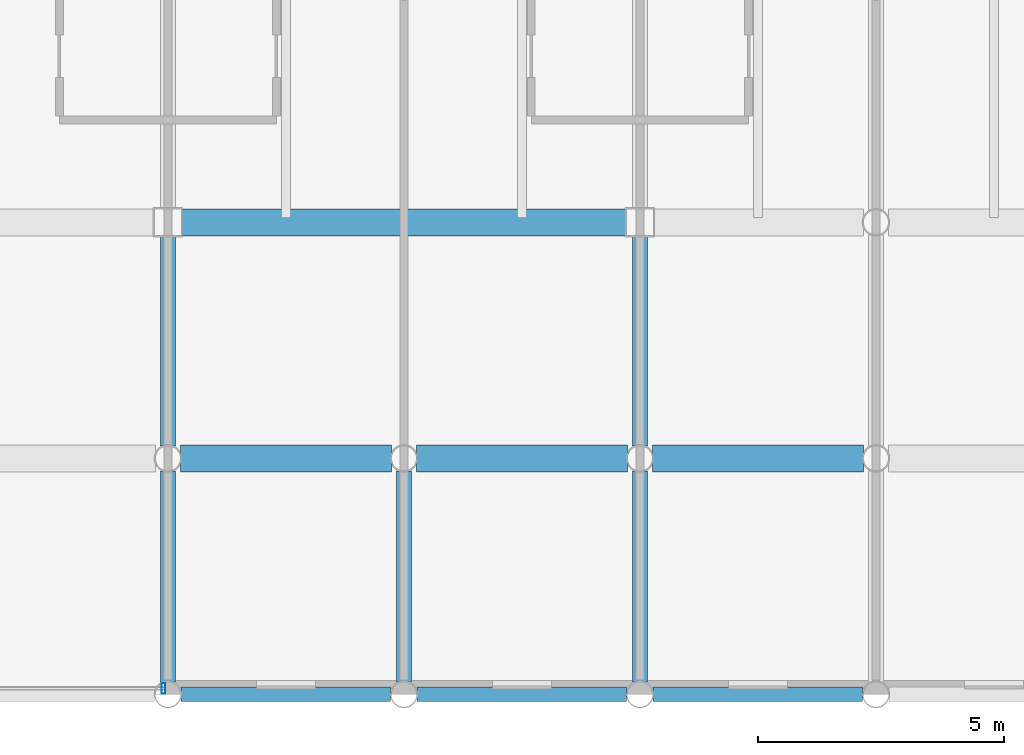
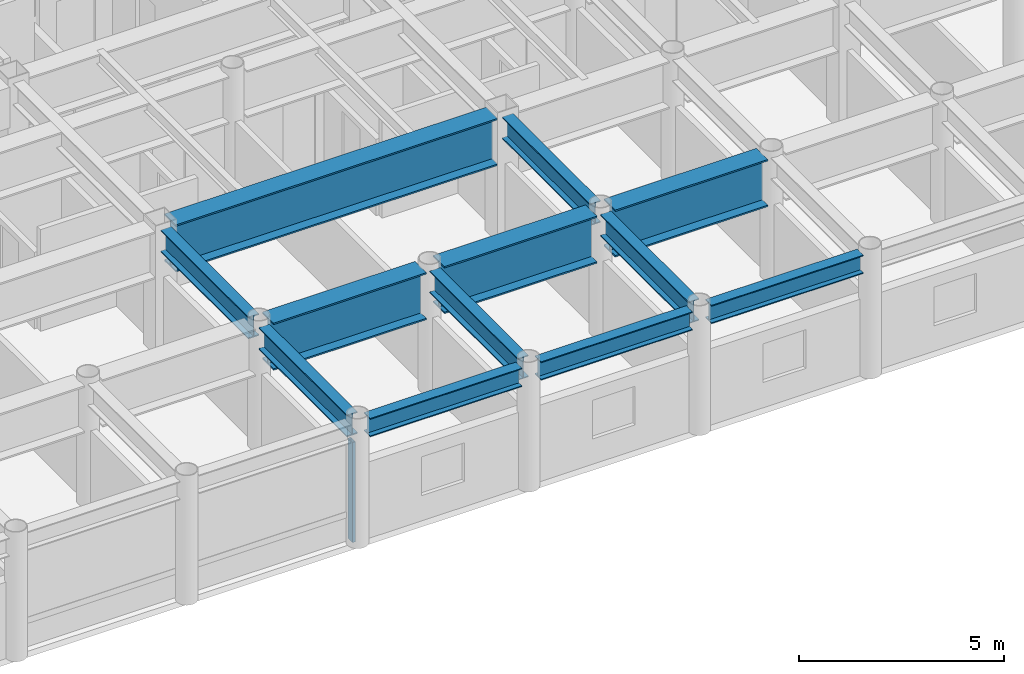
# One storey, part 8 of 22: 12 beams, 1 member, 1 element without a shape of its own.
"""IFC4 building model written with IfcOpenShell, lengths in metres."""

from ifc_helpers import new_model, si_unit, direction, frame, origin, origin_2d, place, context, subcontext, project, spatial, hollow_rectangle, i_section, extrude, material, layer, layer_set, material_profile, profile_set, type_object, element, aggregate, save


model = new_model("IFC4")

# Units and contexts
model_context = context("Model", 3, precision=1e-05, world=origin(), true_north=direction((0.0, 1.0)))
body_context = subcontext(model_context, "Body", "Model", "MODEL_VIEW")
ifc_project = project(units=[si_unit("LENGTHUNIT", "METRE"), si_unit("AREAUNIT", "SQUARE_METRE"), si_unit("VOLUMEUNIT", "CUBIC_METRE"), si_unit("PLANEANGLEUNIT", "RADIAN"), si_unit("MASSUNIT", "GRAM", prefix="KILO")], contexts=[model_context])

# Site, building, storey
site_placement = place(None, origin())
site = spatial("IfcSite", under=ifc_project, at=site_placement, CompositionType="ELEMENT")
building_placement = place(site_placement, origin())
building = spatial("IfcBuilding", under=site, at=building_placement, Name="Kallvorn Hotel Tower", CompositionType="ELEMENT")
storey_placement = place(building_placement, frame((0.0, 0.0, 191.5)))
storey = spatial("IfcBuildingStorey", under=building, at=storey_placement, Name="L47", CompositionType="ELEMENT", Elevation=191.5)

# Beams
ifc_material_1 = material(Name="Structural steel S355JR", Category="steel")
ifc_material_profile_1 = material_profile(ifc_material_1, i_section(OverallWidth=0.300048828125, OverallDepth=0.550048828125, WebThickness=0.014892578125, FlangeThickness=0.029052734375, at=origin_2d()), Name="HE 550 B")
ifc_profile_set_1 = profile_set([ifc_material_profile_1], Name="Structural steel S355JR")
beam_type_1 = type_object("IfcBeamType", Name="BM_HE550B", PredefinedType="SPANDREL", material=ifc_profile_set_1)
beam_1_placement = place(storey_placement, frame((5.069580078125, -24.0, 3.39501953125), z_axis=(1.0, 0.0, 0.0), x_axis=(0.0, 1.0, 0.0)))
element("IfcBeam", 1, at=beam_1_placement, inside=storey, type_object=beam_type_1, Name="L48 Perimeter Spandrel 157", PredefinedType="SPANDREL", context=body_context, shape_type="SweptSolid", body=[
    extrude(i_section(OverallWidth=0.300048828125, OverallDepth=0.550048828125, WebThickness=0.014892578125, FlangeThickness=0.029052734375, at=origin_2d()), origin(), (0.0, 0.0, 1.0), 4.260986328125),
])
beam_2_placement = place(storey_placement, frame((9.869384765625, -24.0, 3.39501953125), z_axis=(1.0, 0.0, 0.0), x_axis=(0.0, 1.0, 0.0)))
element("IfcBeam", 2, at=beam_2_placement, inside=storey, type_object=beam_type_1, Name="L48 Perimeter Spandrel 158", PredefinedType="SPANDREL", context=body_context, shape_type="SweptSolid", body=[
    extrude(i_section(OverallWidth=0.300048828125, OverallDepth=0.550048828125, WebThickness=0.014892578125, FlangeThickness=0.029052734375, at=origin_2d()), origin(), (0.0, 0.0, 1.0), 4.26123046875),
])
beam_3_placement = place(storey_placement, frame((14.66943359375, -24.0, 3.39501953125), z_axis=(1.0, 0.0, 0.0), x_axis=(0.0, 1.0, 0.0)))
element("IfcBeam", 3, at=beam_3_placement, inside=storey, type_object=beam_type_1, Name="L48 Perimeter Spandrel 159", PredefinedType="SPANDREL", context=body_context, shape_type="SweptSolid", body=[
    extrude(i_section(OverallWidth=0.300048828125, OverallDepth=0.550048828125, WebThickness=0.014892578125, FlangeThickness=0.029052734375, at=origin_2d()), origin(), (0.0, 0.0, 1.0), 4.260986328125),
])
ifc_material_2 = material(Name="Structural steel S355JR", Category="steel")
ifc_material_profile_2 = material_profile(ifc_material_2, i_section(OverallWidth=0.300048828125, OverallDepth=0.64990234375, WebThickness=0.01611328125, FlangeThickness=0.031005859375, at=origin_2d()), Name="HE 650 B")
ifc_profile_set_2 = profile_set([ifc_material_profile_2], Name="Structural steel S355JR")
beam_type_2 = type_object("IfcBeamType", Name="BM_HE650B", PredefinedType="BEAM", material=ifc_profile_set_2)
beam_4_placement = place(storey_placement, frame((4.800048828125, -23.74560546875, 3.344970703125), z_axis=(0.0, 1.0, 0.0), x_axis=(-1.0, 0.0, 0.0)))
element("IfcBeam", 4, at=beam_4_placement, inside=storey, type_object=beam_type_2, Name="L48 Primary Y-Girder 113", PredefinedType="BEAM", context=body_context, shape_type="SweptSolid", body=[
    extrude(i_section(OverallWidth=0.300048828125, OverallDepth=0.64990234375, WebThickness=0.01611328125, FlangeThickness=0.031005859375, at=origin_2d()), origin(), (0.0, 0.0, 1.0), 4.291015625),
])
beam_5_placement = place(storey_placement, frame((4.800048828125, -18.945556640625, 3.344970703125), z_axis=(0.0, 1.0, 0.0), x_axis=(-1.0, 0.0, 0.0)))
element("IfcBeam", 5, at=beam_5_placement, inside=storey, type_object=beam_type_2, Name="L48 Primary Y-Girder 114", PredefinedType="BEAM", context=body_context, shape_type="SweptSolid", body=[
    extrude(i_section(OverallWidth=0.300048828125, OverallDepth=0.64990234375, WebThickness=0.01611328125, FlangeThickness=0.031005859375, at=origin_2d()), origin(), (0.0, 0.0, 1.0), 4.2705078125),
])
for number, where, z_axis, x_axis, name in (
    (6, (9.60009765625, -23.74560546875, 3.344970703125), (0.0, 1.0, 0.0), (-1.0, 0.0, 0.0), "L48 Primary Y-Girder 118"),
    (7, (14.39990234375, -23.74560546875, 3.344970703125), (0.0, 1.0, 0.0), (-1.0, 0.0, 0.0), "L48 Primary Y-Girder 121"),
):
    element("IfcBeam", number, at=place(storey_placement, frame(where, z_axis=z_axis, x_axis=x_axis)), inside=storey, type_object=beam_type_2, Name=name, PredefinedType="BEAM", context=body_context, shape_type="SweptSolid", body=[
        extrude(i_section(OverallWidth=0.300048828125, OverallDepth=0.64990234375, WebThickness=0.01611328125, FlangeThickness=0.031005859375, at=origin_2d()), origin(), (0.0, 0.0, 1.0), 4.291015625),
    ])
beam_6_placement = place(storey_placement, frame((14.39990234375, -18.945556640625, 3.344970703125), z_axis=(0.0, 1.0, 0.0), x_axis=(-1.0, 0.0, 0.0)))
element("IfcBeam", 8, at=beam_6_placement, inside=storey, type_object=beam_type_2, Name="L48 Primary Y-Girder 122", PredefinedType="BEAM", context=body_context, shape_type="SweptSolid", body=[
    extrude(i_section(OverallWidth=0.300048828125, OverallDepth=0.64990234375, WebThickness=0.01611328125, FlangeThickness=0.031005859375, at=origin_2d()), origin(), (0.0, 0.0, 1.0), 4.2705078125),
])
ifc_material_3 = material(Name="Structural steel S355JR", Category="steel")
ifc_material_profile_3 = material_profile(ifc_material_3, i_section(OverallWidth=0.550048828125, OverallDepth=1.39990234375, WebThickness=0.02490234375, FlangeThickness=0.044921875, at=origin_2d()), Name="PG 1400x550x25x45")
ifc_profile_set_3 = profile_set([ifc_material_profile_3], Name="Structural steel S355JR")
beam_type_3 = type_object("IfcBeamType", Name="BM_PG_1400", PredefinedType="BEAM", material=ifc_profile_set_3)
for number, where, z_axis, x_axis, name in (
    (9, (5.054443359375, -19.199951171875, 2.969970703125), (1.0, 0.0, 0.0), (0.0, 1.0, 0.0), "L48 Primary X-Girder 08"),
    (10, (9.8544921875, -19.199951171875, 2.969970703125), (1.0, 0.0, 0.0), (0.0, 1.0, 0.0), "L48 Primary X-Girder 09"),
    (11, (14.654541015625, -19.199951171875, 2.969970703125), (1.0, 0.0, 0.0), (0.0, 1.0, 0.0), "L48 Primary X-Girder 10"),
):
    element("IfcBeam", number, at=place(storey_placement, frame(where, z_axis=z_axis, x_axis=x_axis)), inside=storey, type_object=beam_type_3, Name=name, PredefinedType="BEAM", context=body_context, shape_type="SweptSolid", body=[
        extrude(i_section(OverallWidth=0.550048828125, OverallDepth=1.39990234375, WebThickness=0.02490234375, FlangeThickness=0.044921875, at=origin_2d()), origin(), (0.0, 0.0, 1.0), 4.291015625),
    ])
beam_7_placement = place(storey_placement, frame((5.074951171875, -14.39990234375, 2.969970703125), z_axis=(1.0, 0.0, 0.0), x_axis=(0.0, 1.0, 0.0)))
element("IfcBeam", 12, at=beam_7_placement, inside=storey, type_object=beam_type_3, Name="L48 Primary X-Girder 19", PredefinedType="BEAM", context=body_context, shape_type="SweptSolid", body=[
    extrude(i_section(OverallWidth=0.550048828125, OverallDepth=1.39990234375, WebThickness=0.02490234375, FlangeThickness=0.044921875, at=origin_2d()), origin(), (0.0, 0.0, 1.0), 9.050048828125),
])

# Curtain wall, member
ifc_material_4 = material(Name="Thermally broken black-anodised aluminium AA 6063-T6", Category="aluminium")
ifc_layer = layer(ifc_material_4, 0.22998046875)
ifc_layer_set = layer_set([ifc_layer], Name="CW_SYS_5_HOTEL_HIGH")
curtain_wall_type = type_object("IfcCurtainWallType", Name="CW_SYS_5_HOTEL_HIGH", PredefinedType="USERDEFINED", material=ifc_layer_set)
curtain_wall_placement = place(storey_placement, origin())
curtain_wall = element("IfcCurtainWall", 13, at=curtain_wall_placement, inside=storey, type_object=curtain_wall_type, Name="L47 Dark-Glass Curtain Wall CW-L47-SC", ObjectType="UNITISED CURTAIN WALL", PredefinedType="USERDEFINED")
ifc_material_5 = material(Name="Thermally broken black-anodised aluminium AA 6063-T6", Category="aluminium")
ifc_material_profile_4 = material_profile(ifc_material_5, hollow_rectangle(XDim=0.080078125, YDim=0.219970703125, WallThickness=0.0048828125, at=origin_2d()), Name="MUL 220x80")
ifc_profile_set_4 = profile_set([ifc_material_profile_4], Name="Thermally broken black-anodised aluminium AA 6063-T6")
member_type = type_object("IfcMemberType", Name="CW_MULLION_220x80", PredefinedType="MULLION", material=ifc_profile_set_4)
member_placement = place(storey_placement, frame((4.7099609375, -23.8798828125, 0.02001953125), z_axis=(0.0, 0.0, 1.0), x_axis=(1.0, 0.0, 0.0)))
member = element("IfcMember", 14, at=member_placement, type_object=member_type, Name="CW-L47-SC Mullion 02", PredefinedType="MULLION", context=body_context, shape_type="SweptSolid", body=[
    extrude(hollow_rectangle(XDim=0.080078125, YDim=0.219970703125, WallThickness=0.0048828125, at=origin_2d()), origin(), (0.0, 0.0, 1.0), 2.97998046875),
])
aggregate(curtain_wall, [member])

save(model, "model.ifc")
